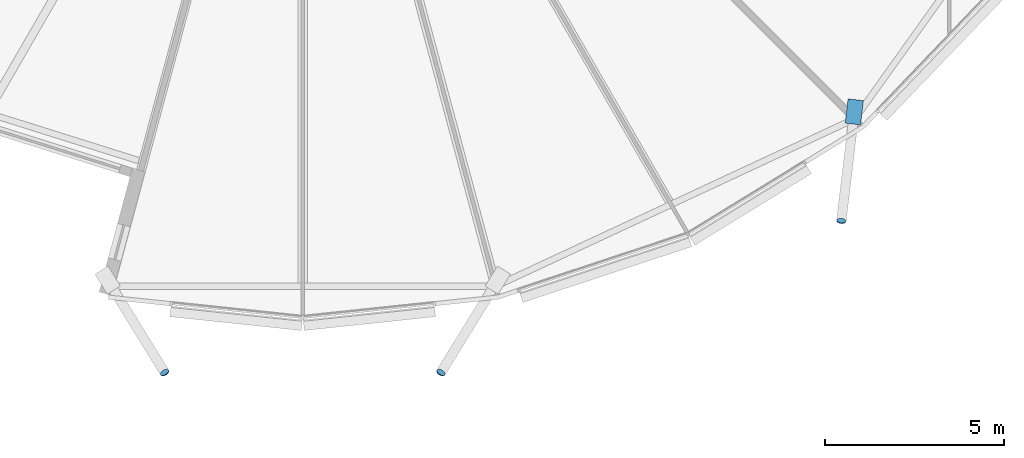
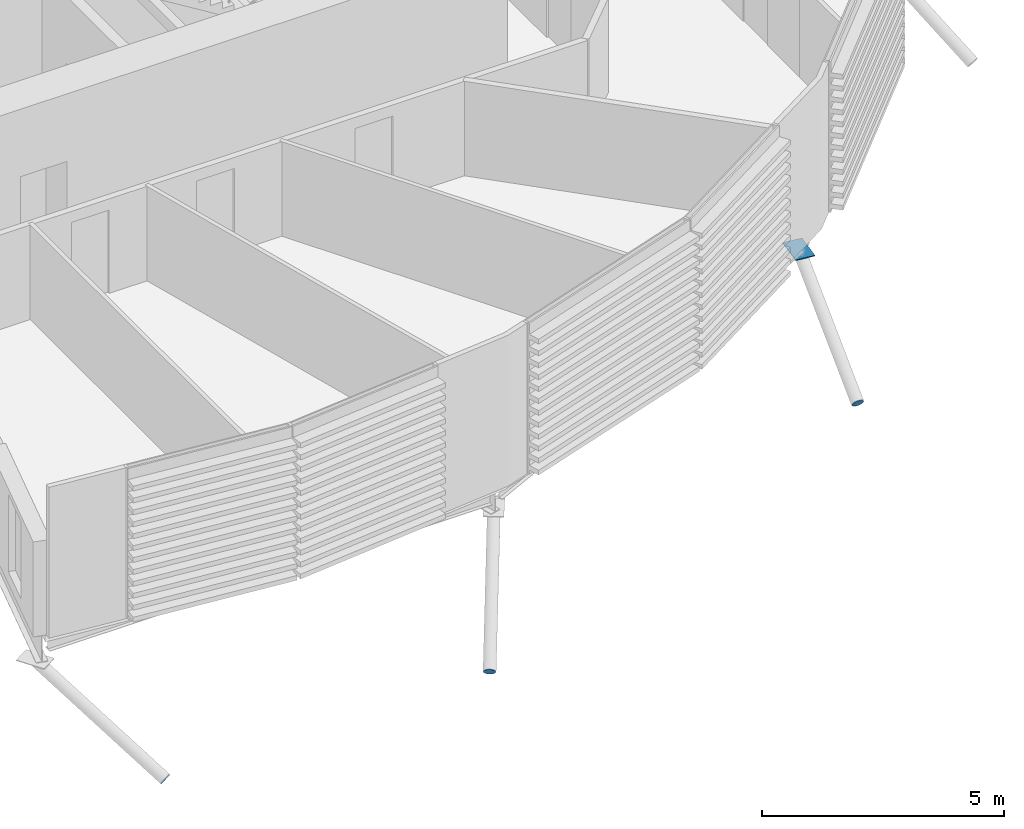
# One storey, part 27 of 38: 4 discrete accessories.
"""IFC4 building model written with IfcOpenShell, lengths in metres."""

import ifcopenshell
import ifcopenshell.guid

model = None  # the IFC model being written
_history = None  # IfcOwnerHistory: only IFC2X3 demands one
_inside = {}  # id of a spatial element -> (the spatial element, [elements in it])
_under = {}  # id of a project, library or spatial element -> (it, [spatial elements below it])
_declared = {}  # id of a project -> (the project, [libraries it declares])
_typed = {}  # id of a type object -> (the type object, [elements of that type])
_made_of = {}  # id of a material, layer set ... -> (it, [elements and type objects made of it])


def new_model(schema):
    """Start an empty IFC model of exactly this schema.

    Asked for "IFC4X3", IfcOpenShell would pick the latest addendum, in which some entities
    have other attributes; the version numbers below select the first issue.
    IFC2X3 requires an IfcOwnerHistory on every rooted entity: one is made here for all.
    """
    global model, _history
    if schema == "IFC4X3":
        model = ifcopenshell.file(schema_version=(4, 3, 0, 0))
    else:
        model = ifcopenshell.file(schema=schema)
    _inside.clear()
    _under.clear()
    _declared.clear()
    _typed.clear()
    _made_of.clear()
    _history = None
    if model.schema == "IFC2X3":
        org = make("IfcOrganization", Name="unknown")
        user = make(
            "IfcPersonAndOrganization",
            ThePerson=make("IfcPerson", FamilyName="unknown"),
            TheOrganization=org,
        )
        app = make(
            "IfcApplication",
            ApplicationDeveloper=org,
            Version="unknown",
            ApplicationFullName="unknown",
            ApplicationIdentifier="unknown",
        )
        _history = make(
            "IfcOwnerHistory",
            OwningUser=user,
            OwningApplication=app,
            ChangeAction="ADDED",
            CreationDate=0,
        )
    return model


def make(cls, **values):
    """One entity of the class cls with the attributes given. An attribute that is None is left unset."""
    return model.create_entity(
        cls, **{name: value for name, value in values.items() if value is not None}
    )


def rooted(cls, **values):
    """An entity with a GlobalId (a new one), such as an element, a storey or a relation."""
    return make(cls, GlobalId=ifcopenshell.guid.new(), OwnerHistory=_history, **values)


def si_unit(unit_type, name, prefix=None):
    """IfcSIUnit, for example si_unit("LENGTHUNIT", "METRE", prefix="MILLI")."""
    return make("IfcSIUnit", UnitType=unit_type, Prefix=prefix, Name=name)


def assignment(units):
    """IfcUnitAssignment: the units of a project."""
    return None if units is None else make("IfcUnitAssignment", Units=units)


def point(xyz):
    """IfcCartesianPoint."""
    return None if xyz is None else make("IfcCartesianPoint", Coordinates=xyz)


def direction(xyz):
    """IfcDirection."""
    return None if xyz is None else make("IfcDirection", DirectionRatios=xyz)


def frame(location, z_axis=None, x_axis=None):
    """IfcAxis2Placement3D, a coordinate frame: its origin and axes. An axis left out is left unset."""
    return make(
        "IfcAxis2Placement3D",
        Location=point(location),
        Axis=direction(z_axis),
        RefDirection=direction(x_axis),
    )


def frame_2d(location, x_axis=None):
    """IfcAxis2Placement2D, a coordinate frame in the plane: its origin and x axis."""
    return make(
        "IfcAxis2Placement2D", Location=point(location), RefDirection=direction(x_axis)
    )


def origin():
    """The frame at (0, 0, 0) with its axes left unset."""
    return frame((0.0, 0.0, 0.0))


def origin_2d():
    """The frame at (0, 0) in the plane with its x axis left unset."""
    return frame_2d((0.0, 0.0))


def place(relative_to, where):
    """IfcLocalPlacement: puts the frame where relative to a parent placement (None: the world)."""
    return make(
        "IfcLocalPlacement", PlacementRelTo=relative_to, RelativePlacement=where
    )


def context(
    kind, dimensions, precision=None, world=None, true_north=None, identifier=None
):
    """IfcGeometricRepresentationContext, for example the 3D "Model" context."""
    return make(
        "IfcGeometricRepresentationContext",
        ContextIdentifier=identifier,
        ContextType=kind,
        CoordinateSpaceDimension=dimensions,
        Precision=precision,
        WorldCoordinateSystem=world,
        TrueNorth=true_north,
    )


def subcontext(parent, identifier, kind, view, scale=None):
    """IfcGeometricRepresentationSubContext, for example "Body" below "Model"."""
    return make(
        "IfcGeometricRepresentationSubContext",
        ContextIdentifier=identifier,
        ContextType=kind,
        ParentContext=parent,
        TargetScale=scale,
        TargetView=view,
    )


def project(units=None, contexts=None):
    """IfcProject with its units and contexts."""
    return rooted(
        "IfcProject",
        Name="project",
        RepresentationContexts=contexts,
        UnitsInContext=assignment(units),
    )


def spatial(cls, under=None, at=None, **own):
    """A site, building, storey or space (cls), placed at a placement, below another one or the project."""
    s = rooted(cls, ObjectPlacement=at, **own)
    if under is not None:
        _under.setdefault(under.id(), (under, []))[1].append(s)
    return s


def polyline(points):
    """IfcPolyline through the points."""
    return make("IfcPolyline", Points=[point(p) for p in points])


def profile(cls, at=None, kind="AREA", **sizes):
    """A parametric profile (cls). Its sizes go by their IFC names, for example OverallWidth=200.0."""
    return make(cls, ProfileType=kind, Position=at, **sizes)


def rectangle(**sizes):
    """IfcRectangleProfileDef."""
    return profile("IfcRectangleProfileDef", **sizes)


def circle(**sizes):
    """IfcCircleProfileDef."""
    return profile("IfcCircleProfileDef", **sizes)


def outline(outer, holes=None, kind="AREA"):
    """IfcArbitraryClosedProfileDef: a profile drawn as a closed curve; with holes, ...WithVoids."""
    if holes is None:
        return make("IfcArbitraryClosedProfileDef", ProfileType=kind, OuterCurve=outer)
    return make(
        "IfcArbitraryProfileDefWithVoids",
        ProfileType=kind,
        OuterCurve=outer,
        InnerCurves=holes,
    )


def extrude(swept, where, along, depth):
    """IfcExtrudedAreaSolid: the profile swept, set in the frame where, extruded along a direction by depth."""
    return make(
        "IfcExtrudedAreaSolid",
        SweptArea=swept,
        Position=where,
        ExtrudedDirection=direction(along),
        Depth=depth,
    )


def shape(context_of_items, identifier, shape_type, items):
    """IfcShapeRepresentation: the items that make up one representation, for example the "Body"."""
    return make(
        "IfcShapeRepresentation",
        ContextOfItems=context_of_items,
        RepresentationIdentifier=identifier,
        RepresentationType=shape_type,
        Items=items,
    )


def material(Name=None, Category=None):
    """IfcMaterial."""
    return make("IfcMaterial", Name=Name, Category=Category)


def material_profile(
    of_material, cross_section, Name=None, Category=None, Priority=None
):
    """IfcMaterialProfile: a cross section and its material."""
    return make(
        "IfcMaterialProfile",
        Name=Name,
        Material=of_material,
        Profile=cross_section,
        Priority=Priority,
        Category=Category,
    )


def profile_set(profiles, Name=None, composite=None):
    """IfcMaterialProfileSet."""
    return make(
        "IfcMaterialProfileSet",
        Name=Name,
        MaterialProfiles=profiles,
        CompositeProfile=composite,
    )


def made_of(thing, what):
    """Note that an element or type object is made of a material, layer set ...; save() writes the relation."""
    if what is not None:
        _made_of.setdefault(what.id(), (what, []))[1].append(thing)
    return thing


def type_object(cls, material=None, **own):
    """A type object (cls), such as IfcWallType, which elements share."""
    return made_of(rooted(cls, **own), material)


def element(
    cls,
    number,
    at=None,
    inside=None,
    cuts=None,
    type_object=None,
    material=None,
    context=None,
    identifier="Body",
    shape_type=None,
    held_by="IfcProductDefinitionShape",
    body=None,
    shapes=None,
    **own,
):
    """One element of the class cls, such as IfcWall. Its Tag is "e" and its number.

    at: its placement. inside: the storey or other place that contains it. cuts: it is an
    opening in that element (IfcRelVoidsElement). A single representation is given by context,
    identifier, shape_type and body (its items); several are given by shapes. held_by: the class
    of the entity that holds the representations. save() writes the other relations.
    """
    e = rooted(cls, Tag="e%d" % number, ObjectPlacement=at, **own)
    if body is not None:
        shapes = [shape(context, identifier, shape_type, body)]
    if shapes is not None:
        e.Representation = make(held_by, Representations=shapes)
    if inside is not None:
        _inside.setdefault(inside.id(), (inside, []))[1].append(e)
    if cuts is not None:
        rooted(
            "IfcRelVoidsElement", RelatingBuildingElement=cuts, RelatedOpeningElement=e
        )
    if type_object is not None:
        _typed.setdefault(type_object.id(), (type_object, []))[1].append(e)
    return made_of(e, material)


def aggregate(whole, parts):
    """IfcRelAggregates: a whole, such as a stair, and the parts it consists of."""
    return rooted("IfcRelAggregates", RelatingObject=whole, RelatedObjects=parts)


def save(model, path):
    """Write the relations noted so far, then the file.

    IfcRelAggregates (storeys below a building ...), IfcRelContainedInSpatialStructure (elements
    in a storey), IfcRelDefinesByType, IfcRelAssociatesMaterial and IfcRelDeclares: one each for
    every whole, place, type object, material and project.
    """
    for whole, parts in _under.values():
        aggregate(whole, parts)
    for where, things in _inside.values():
        rooted(
            "IfcRelContainedInSpatialStructure",
            RelatedElements=things,
            RelatingStructure=where,
        )
    for kind, things in _typed.values():
        rooted("IfcRelDefinesByType", RelatedObjects=things, RelatingType=kind)
    for what, things in _made_of.values():
        rooted("IfcRelAssociatesMaterial", RelatedObjects=things, RelatingMaterial=what)
    for by, libraries in _declared.values():
        rooted("IfcRelDeclares", RelatingContext=by, RelatedDefinitions=libraries)
    model.write(path)


model = new_model("IFC4")

# Units and contexts
model_context = context("Model", 3, precision=1e-05, world=origin(), true_north=direction((0.0, 1.0)))
body_context = subcontext(model_context, "Body", "Model", "MODEL_VIEW")
ifc_project = project(units=[si_unit("LENGTHUNIT", "METRE"), si_unit("AREAUNIT", "SQUARE_METRE"), si_unit("VOLUMEUNIT", "CUBIC_METRE"), si_unit("PLANEANGLEUNIT", "RADIAN"), si_unit("MASSUNIT", "GRAM", prefix="KILO")], contexts=[model_context])

# Site, building, storey
site_placement = place(None, origin())
site = spatial("IfcSite", under=ifc_project, at=site_placement, CompositionType="ELEMENT")
building_placement = place(site_placement, origin())
building = spatial("IfcBuilding", under=site, at=building_placement, Name="Rimbun Link Towers", CompositionType="ELEMENT")
storey_placement = place(building_placement, frame((0.0, 0.0, 71.800048828125)))
storey = spatial("IfcBuildingStorey", under=building, at=storey_placement, Name="L17", CompositionType="ELEMENT", Elevation=71.800048828125)

# Discrete accessories
ifc_material_1 = material(Name="Steel S355J2H", Category="steel")
ifc_material_profile_1 = material_profile(ifc_material_1, circle(Radius=0.1240234375, at=origin_2d()), Name="PL D248")
ifc_profile_set_1 = profile_set([ifc_material_profile_1], Name="Steel S355J2H")
discrete_accessory_type_1 = type_object("IfcDiscreteAccessoryType", Name="Link foot sealing plate D248X20", PredefinedType="BRACKET", material=ifc_profile_set_1)
for number, where, z_axis, x_axis, name in (
    (1, (-35.62109375, -22.568115234375, -2.84228515625), (0.440303152519, -0.709377301281, -0.550378940649), (0.849640166198, 0.527362861778, 0.0), "Link foot sealing plate T1 L17 17"),
    (2, (-27.87890625, -22.568115234375, -2.84228515625), (-0.440303152519, -0.709377301281, -0.550378940649), (0.849640166198, -0.527362861778, 0.0), "Link foot sealing plate T1 L17 19"),
):
    element("IfcDiscreteAccessory", number, at=place(storey_placement, frame(where, z_axis=z_axis, x_axis=x_axis)), inside=storey, type_object=discrete_accessory_type_1, Name=name, PredefinedType="BRACKET", context=body_context, shape_type="SweptSolid", body=[
        extrude(circle(Radius=0.1240234375, at=origin_2d()), origin(), (0.0, 0.0, 1.0), 0.02001953125),
    ])
discrete_accessory_1_placement = place(storey_placement, frame((-16.66357421875, -18.319580078125, -2.58447265625), z_axis=(-0.096921648558, -0.848064424882, -0.520953860999), x_axis=(0.993532672656, -0.113546591161, 0.0)))
element("IfcDiscreteAccessory", 3, at=discrete_accessory_1_placement, inside=storey, type_object=discrete_accessory_type_1, Name="Link foot sealing plate T1 L17 21", PredefinedType="BRACKET", context=body_context, shape_type="SweptSolid", body=[
    extrude(circle(Radius=0.1240234375, at=origin_2d()), origin(), (0.0, 0.0, 1.0), 0.020263671875),
])
ifc_material_2 = material(Name="Steel S355J2H", Category="steel")
ifc_material_profile_2 = material_profile(ifc_material_2, rectangle(XDim=0.43310546875, YDim=0.43310546875, at=origin_2d()), Name="PL 433x433")
ifc_profile_set_2 = profile_set([ifc_material_profile_2], Name="Steel S355J2H")
discrete_accessory_type_2 = type_object("IfcDiscreteAccessoryType", Name="Link head end plate 433X20", PredefinedType="BRACKET", material=ifc_profile_set_2)
discrete_accessory_2_placement = place(storey_placement, frame((0.0, 0.0, -0.713134765625)))
element("IfcDiscreteAccessory", 4, at=discrete_accessory_2_placement, inside=storey, type_object=discrete_accessory_type_2, Name="Link head end plate T1 L17 21", PredefinedType="BRACKET", context=body_context, shape_type="SweptSolid", body=[
    extrude(outline(polyline([(-16.475341796875, -14.90771484375), (-16.55615234375, -15.587158203125), (-16.126220703125, -15.638427734375), (-16.04541015625, -14.958984375), (-16.475341796875, -14.90771484375)])), origin(), (0.0, 0.0, 1.0), 0.02001953125),
])

save(model, "model.ifc")
